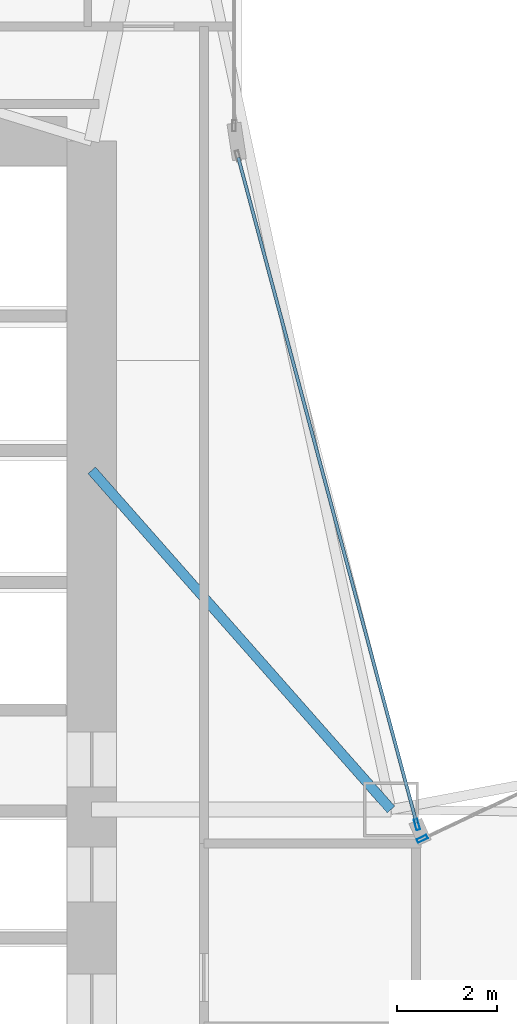
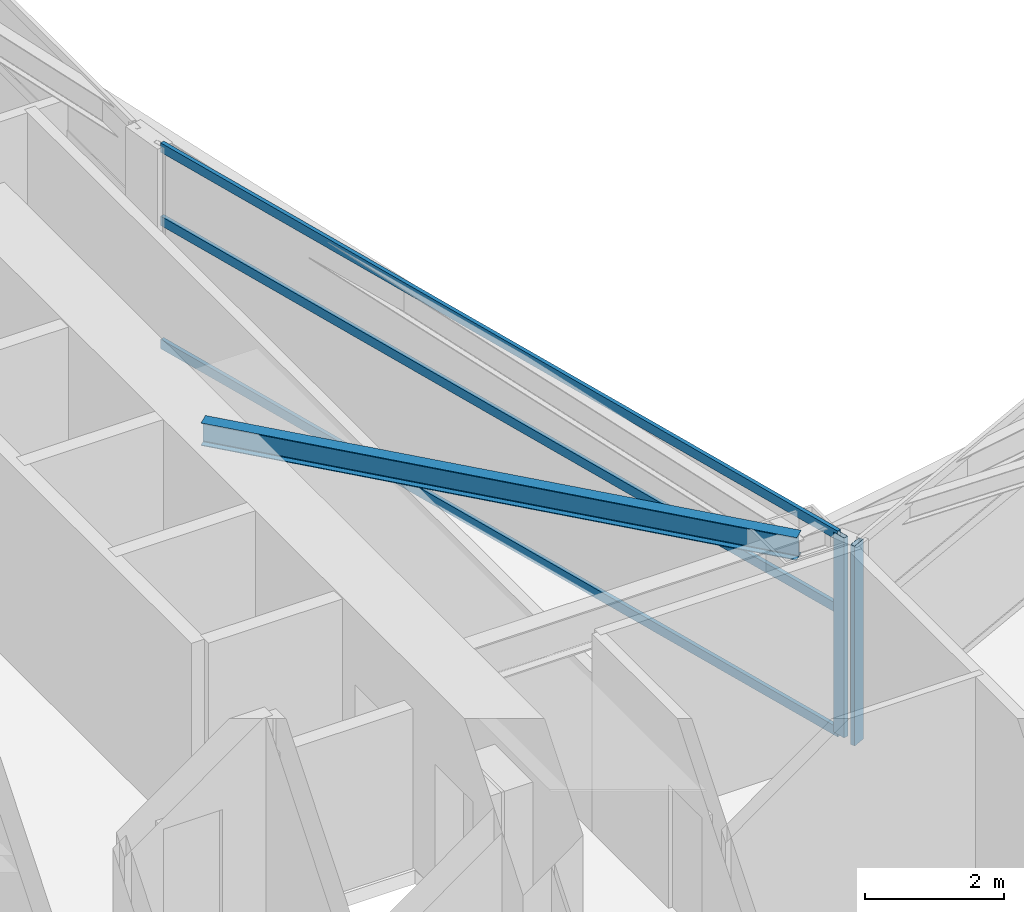
# One storey, part 9 of 28: 5 members, 1 beam, 2 elements without a shape of their own.
"""IFC4 building model written with IfcOpenShell, lengths in metres."""

from ifc_helpers import new_model, si_unit, direction, frame, origin, origin_2d, place, context, subcontext, project, spatial, hollow_rectangle, i_section, extrude, material, layer, layer_set, material_profile, profile_set, type_object, element, aggregate, save


model = new_model("IFC4")

# Units and contexts
model_context = context("Model", 3, precision=1e-05, world=origin(), true_north=direction((0.0, 1.0)))
body_context = subcontext(model_context, "Body", "Model", "MODEL_VIEW")
ifc_project = project(units=[si_unit("LENGTHUNIT", "METRE"), si_unit("AREAUNIT", "SQUARE_METRE"), si_unit("VOLUMEUNIT", "CUBIC_METRE"), si_unit("PLANEANGLEUNIT", "RADIAN"), si_unit("MASSUNIT", "GRAM", prefix="KILO")], contexts=[model_context])

# Site, building, storey
site_placement = place(None, origin())
site = spatial("IfcSite", under=ifc_project, at=site_placement, CompositionType="ELEMENT")
building_placement = place(site_placement, origin())
building = spatial("IfcBuilding", under=site, at=building_placement, Name="Calvorn Quay Hotel", CompositionType="ELEMENT")
storey_placement = place(building_placement, frame((0.0, 0.0, 88.800048828125)))
storey = spatial("IfcBuildingStorey", under=building, at=storey_placement, Name="L21", CompositionType="ELEMENT", Elevation=88.800048828125)

# Beam
ifc_material_1 = material(Name="Steel Q355B", Category="steel")
ifc_material_profile_1 = material_profile(ifc_material_1, i_section(OverallWidth=0.199951171875, OverallDepth=0.39990234375, WebThickness=0.008056640625, FlangeThickness=0.012939453125, FilletRadius=0.01611328125, at=origin_2d()), Name="HN400x200x8x13")
ifc_profile_set_1 = profile_set([ifc_material_profile_1], Name="Steel Q355B")
beam_type = type_object("IfcBeamType", Name="BM-JOIST-TYP", PredefinedType="JOIST", material=ifc_profile_set_1)
beam_placement = place(storey_placement, frame((15.0, 31.800048828125, 3.320068359375), z_axis=(0.661618965899, -0.749840212287, 0.0), x_axis=(0.749840212287, 0.661618965899, 0.0)))
element("IfcBeam", 1, at=beam_placement, inside=storey, type_object=beam_type, Name="Beam BJ-L21-C1", PredefinedType="JOIST", context=body_context, shape_type="SweptSolid", body=[
    extrude(i_section(OverallWidth=0.199951171875, OverallDepth=0.39990234375, WebThickness=0.008056640625, FlangeThickness=0.012939453125, FilletRadius=0.01611328125, at=origin_2d()), origin(), (0.0, 0.0, 1.0), 9.068603515625),
])

# Curtain wall, member
ifc_material_2 = material(Name="Pale Anodised Aluminium and Low-E Glass", Category="aluminium")
ifc_layer = layer(ifc_material_2, 0.219970703125)
ifc_layer_set = layer_set([ifc_layer], Name="CW-SYS-Z1")
curtain_wall_type = type_object("IfcCurtainWallType", Name="CW-SYS-Z1", PredefinedType="NOTDEFINED", material=ifc_layer_set)
curtain_wall_1_placement = place(storey_placement, origin())
curtain_wall_1 = element("IfcCurtainWall", 2, at=curtain_wall_1_placement, inside=storey, type_object=curtain_wall_type, Name="Inner Court Curtain Wall L21-NE1", PredefinedType="NOTDEFINED")
ifc_material_3 = material(Name="Pale Anodised Aluminium 6063-T6", Category="aluminium")
ifc_material_profile_2 = material_profile(ifc_material_3, hollow_rectangle(XDim=0.074951171875, YDim=0.219970703125, WallThickness=0.00439453125, at=origin_2d()), Name="ALU-M220x75x4.5")
ifc_profile_set_2 = profile_set([ifc_material_profile_2], Name="Pale Anodised Aluminium 6063-T6")
member_type_1 = type_object("IfcMemberType", Name="CW-SYS-Z1-MUL", PredefinedType="MULLION", material=ifc_profile_set_2)
member_1_placement = place(storey_placement, frame((21.627197265625, 24.412841796875, 0.0), z_axis=(0.0, 0.0, 1.0), x_axis=(0.427006305415, -0.904248646743, 0.0)))
member_1 = element("IfcMember", 3, at=member_1_placement, type_object=member_type_1, Name="CW-L21-NE1 mullion 4", PredefinedType="MULLION", context=body_context, shape_type="SweptSolid", body=[
    extrude(hollow_rectangle(XDim=0.074951171875, YDim=0.219970703125, WallThickness=0.00439453125, at=origin_2d()), origin(), (0.0, 0.0, 1.0), 3.52001953125),
])
aggregate(curtain_wall_1, [member_1])

# Curtain wall, members
curtain_wall_2_placement = place(storey_placement, origin())
curtain_wall_2 = element("IfcCurtainWall", 4, at=curtain_wall_2_placement, inside=storey, type_object=curtain_wall_type, Name="Inner Court Curtain Wall L21-IC1", PredefinedType="NOTDEFINED")
member_2_placement = place(storey_placement, frame((21.520263671875, 24.698974609375, 0.0), z_axis=(0.0, 0.0, 1.0), x_axis=(-0.96593652056, -0.25877913024, 0.0)))
member_2 = element("IfcMember", 5, at=member_2_placement, type_object=member_type_1, Name="CW-L21-IC1 mullion 1", PredefinedType="MULLION", context=body_context, shape_type="SweptSolid", body=[
    extrude(hollow_rectangle(XDim=0.074951171875, YDim=0.219970703125, WallThickness=0.00439453125, at=origin_2d()), origin(), (0.0, 0.0, 1.0), 3.52001953125),
])
ifc_material_4 = material(Name="Pale Anodised Aluminium 6063-T6", Category="aluminium")
ifc_material_profile_3 = material_profile(ifc_material_4, hollow_rectangle(XDim=0.06494140625, YDim=0.1650390625, WallThickness=0.00341796875, at=origin_2d()), Name="ALU-T165x65x3.5")
ifc_profile_set_3 = profile_set([ifc_material_profile_3], Name="Pale Anodised Aluminium 6063-T6")
member_type_2 = type_object("IfcMemberType", Name="CW-SYS-Z1-TRN", PredefinedType="USERDEFINED", material=ifc_profile_set_3)
member_3_placement = place(storey_placement, frame((21.512451171875, 24.72802734375, 0.030029296875), z_axis=(-0.258781136883, 0.965935982969, 0.0), x_axis=(-0.965935982969, -0.258781136883, 0.0)))
member_3 = element("IfcMember", 6, at=member_3_placement, type_object=member_type_2, Name="CW-L21-IC1 transom 1.1", ObjectType="TRANSOM", PredefinedType="USERDEFINED", context=body_context, shape_type="SweptSolid", body=[
    extrude(hollow_rectangle(XDim=0.06494140625, YDim=0.1650390625, WallThickness=0.00341796875, at=origin_2d()), origin(), (0.0, 0.0, 1.0), 13.814453125),
])
member_4_placement = place(storey_placement, frame((21.512451171875, 24.72802734375, 2.199951171875), z_axis=(-0.258781136883, 0.965935982969, 0.0), x_axis=(-0.965935982969, -0.258781136883, 0.0)))
member_4 = element("IfcMember", 7, at=member_4_placement, type_object=member_type_2, Name="CW-L21-IC1 transom 1.2", ObjectType="TRANSOM", PredefinedType="USERDEFINED", context=body_context, shape_type="SweptSolid", body=[
    extrude(hollow_rectangle(XDim=0.06494140625, YDim=0.1650390625, WallThickness=0.00341796875, at=origin_2d()), origin(), (0.0, 0.0, 1.0), 13.814453125),
])
member_5_placement = place(storey_placement, frame((21.512451171875, 24.72802734375, 3.489990234375), z_axis=(-0.258781136883, 0.965935982969, 0.0), x_axis=(-0.965935982969, -0.258781136883, 0.0)))
member_5 = element("IfcMember", 8, at=member_5_placement, type_object=member_type_2, Name="CW-L21-IC1 transom 1.3", ObjectType="TRANSOM", PredefinedType="USERDEFINED", context=body_context, shape_type="SweptSolid", body=[
    extrude(hollow_rectangle(XDim=0.06494140625, YDim=0.1650390625, WallThickness=0.00341796875, at=origin_2d()), origin(), (0.0, 0.0, 1.0), 13.814453125),
])
aggregate(curtain_wall_2, [member_2, member_3, member_4, member_5])

save(model, "model.ifc")
